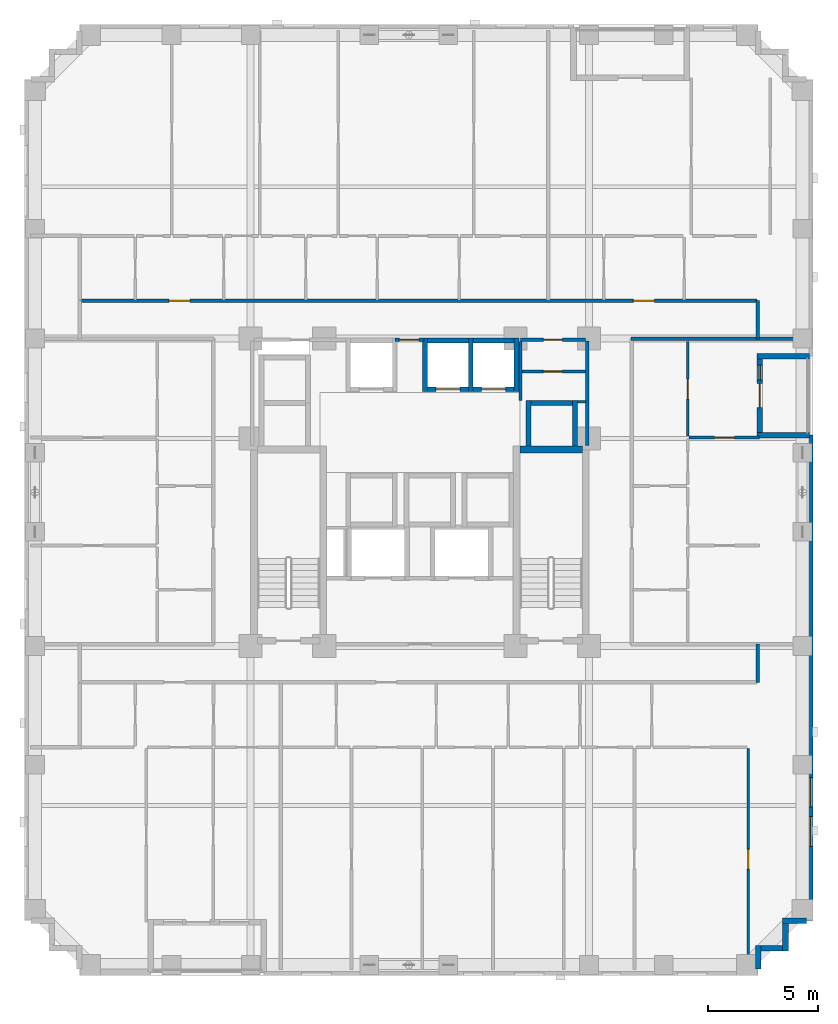
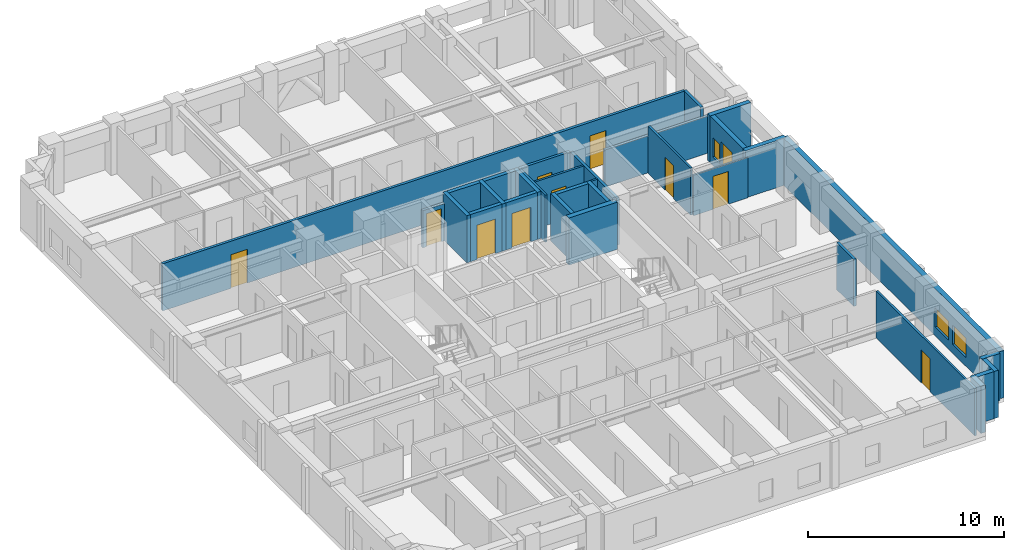
# One storey, part 6 of 12: 32 walls, 11 doors, 3 windows, 14 openings.
"""IFC4 building model written with IfcOpenShell, lengths in metres."""

from ifc_helpers import new_model, si_unit, derived_unit, direction, frame, frame_2d, origin, place, context, subcontext, project, spatial, rectangle, extrude, material, layer, layer_set, type_object, element, fill, save


model = new_model("IFC4")

# Units and contexts
model_context = context("Model", 3, precision=1e-05, world=origin(), true_north=direction((0.0, 1.0)))
body_context = subcontext(model_context, "Body", "Model", "MODEL_VIEW")
ifc_project = project(units=[si_unit("LENGTHUNIT", "METRE"), si_unit("AREAUNIT", "SQUARE_METRE"), si_unit("VOLUMEUNIT", "CUBIC_METRE"), si_unit("PLANEANGLEUNIT", "RADIAN"), si_unit("MASSUNIT", "GRAM", prefix="KILO"), derived_unit("THERMALTRANSMITTANCEUNIT", [(si_unit("MASSUNIT", "GRAM", prefix="KILO"), 1), (si_unit("TIMEUNIT", "SECOND"), -3), (si_unit("THERMODYNAMICTEMPERATUREUNIT", "KELVIN"), -1)])], contexts=[model_context])

# Site, building, storey
site_placement = place(None, origin())
site = spatial("IfcSite", under=ifc_project, at=site_placement, CompositionType="ELEMENT")
building_placement = place(site_placement, origin())
building = spatial("IfcBuilding", under=site, at=building_placement, Name="Korrvale Station Residences", CompositionType="ELEMENT")
storey_placement = place(building_placement, frame((0.0, 0.0, 81.5)))
storey = spatial("IfcBuildingStorey", under=building, at=storey_placement, Name="L22", CompositionType="ELEMENT", Elevation=81.5)

# Walls
ifc_material_1 = material(Name="Concrete C60/75", Category="concrete")
ifc_layer_1 = layer(ifc_material_1, 0.300048828125, Name="Concrete C60/75")
ifc_layer_set_1 = layer_set([ifc_layer_1], Name="Concrete C60/75")
wall_type_1 = type_object("IfcWallType", Name="WAL-CORE-300-C60", PredefinedType="SHEAR", material=ifc_layer_set_1)
wall_1_placement = place(storey_placement, frame((30.050048828125, 23.949951171875, 0.0), z_axis=(0.0, 0.0, 1.0), x_axis=(1.0, 0.0, 0.0)))
element("IfcWall", 1, at=wall_1_placement, inside=storey, type_object=wall_type_1, Name="L22 ST-2 Core Shear Wall North", PredefinedType="SHEAR", context=body_context, shape_type="SweptSolid", body=[
    extrude(rectangle(XDim=2.849853515625, YDim=0.300048828125, at=frame_2d((1.4248046875, 0.0))), origin(), (0.0, 0.0, 1.0), 2.93994140625),
])
ifc_material_2 = material(Name="Precast concrete C45/55", Category="concrete")
ifc_layer_2 = layer(ifc_material_2, 0.260009765625, Name="Precast concrete C45/55")
ifc_layer_set_2 = layer_set([ifc_layer_2], Name="Precast concrete C45/55")
wall_type_2 = type_object("IfcWallType", Name="WAL-EXT-LOG260", PredefinedType="SOLIDWALL", material=ifc_layer_set_2)
wall_2_placement = place(storey_placement, frame((43.239990234375, 28.199951171875, 0.0), z_axis=(0.0, 0.0, 1.0), x_axis=(-1.0, 0.0, 0.0)))
element("IfcWall", 2, at=wall_2_placement, inside=storey, type_object=wall_type_2, Name="L22 Recessed Loggia Wall BAL-L22-E1-L", PredefinedType="SOLIDWALL", context=body_context, shape_type="SweptSolid", body=[
    extrude(rectangle(XDim=2.39990234375, YDim=0.260009765625, at=frame_2d((1.199951171875, 0.0))), origin(), (0.0, 0.0, 1.0), 2.93994140625),
])

# Wall, openings, door, window
wall_3_placement = place(storey_placement, frame((40.969970703125, 28.06591796875, 0.0), z_axis=(0.0, 0.0, 1.0), x_axis=(0.0, -1.0, 0.0)))
wall_3 = element("IfcWall", 3, at=wall_3_placement, inside=storey, type_object=wall_type_2, Name="L22 Recessed Loggia Wall BAL-L22-E1-B", PredefinedType="SOLIDWALL", context=body_context, shape_type="SweptSolid", body=[
    extrude(rectangle(XDim=3.33203125, YDim=0.260009765625, at=frame_2d((1.666015625, 0.0))), origin(), (0.0, 0.0, 1.0), 2.93994140625),
])
opening_1_placement = place(wall_3_placement, frame((1.115966796875, 0.0, 0.0)))
opening_1 = element("IfcOpeningElement", 4, at=opening_1_placement, cuts=wall_3, Name="Opening BD-01", PredefinedType="OPENING", context=body_context, shape_type="SweptSolid", body=[
    extrude(rectangle(XDim=1.10009765625, YDim=2.0, at=frame_2d((0.550048828125, 1.0))), frame((0.0, 0.14013671875, 0.0), z_axis=(0.0, -1.0, 0.0), x_axis=(1.0, 0.0, 0.0)), (0.0, 0.0, 1.0), 0.280029296875),
])
opening_2_placement = place(wall_3_placement, frame((0.27587890625, 0.0, 0.550048828125)))
opening_2 = element("IfcOpeningElement", 5, at=opening_2_placement, cuts=wall_3, Name="Opening W-12", PredefinedType="OPENING", context=body_context, shape_type="SweptSolid", body=[
    extrude(rectangle(XDim=0.679931640625, YDim=1.199951171875, at=frame_2d((0.33984375, 0.60009765625))), frame((0.0, 0.14013671875, 0.0), z_axis=(0.0, -1.0, 0.0), x_axis=(1.0, 0.0, 0.0)), (0.0, 0.0, 1.0), 0.280029296875),
])
ifc_material_3 = material(Name="Exterior thermally broken aluminium glazed balcony door", Category="aluminium")
door_type_1 = type_object("IfcDoorType", Name="DR-EXT-BAL", OperationType="NOTDEFINED", PredefinedType="DOOR", material=ifc_material_3)
door_1_placement = place(opening_1_placement, origin())
door_1 = element("IfcDoor", 6, at=door_1_placement, inside=storey, type_object=door_type_1, Name="L22 Loggia Balcony Door BAL-L22-E1", OperationType="SINGLE_SWING_RIGHT", OverallHeight=2.0, OverallWidth=1.10009765625, PredefinedType="DOOR", context=body_context, shape_type="SweptSolid", body=[
    extrude(rectangle(XDim=1.10009765625, YDim=2.0, at=frame_2d((0.550048828125, 1.0))), frame((0.0, 0.02490234375, 0.0), z_axis=(0.0, -1.0, 0.0), x_axis=(1.0, 0.0, 0.0)), (0.0, 0.0, 1.0), 0.050048828125),
])
fill(opening_1, door_1)
ifc_material_4 = material(Name="Thermally broken aluminium frame with triple low-e glazing", Category="aluminium")
window_type_1 = type_object("IfcWindowType", Name="WIN-W12", PartitioningType="SINGLE_PANEL", PredefinedType="WINDOW", material=ifc_material_4)
window_1_placement = place(opening_2_placement, origin())
window_1 = element("IfcWindow", 7, at=window_1_placement, inside=storey, type_object=window_type_1, Name="L22 Punched Window 21", OverallHeight=1.199951171875, OverallWidth=0.679931640625, PartitioningType="SINGLE_PANEL", PredefinedType="WINDOW", context=body_context, shape_type="SweptSolid", body=[
    extrude(rectangle(XDim=0.679931640625, YDim=1.199951171875, at=frame_2d((0.33984375, 0.60009765625))), frame((0.0, 0.030029296875, 0.0), z_axis=(0.0, -1.0, 0.0), x_axis=(1.0, 0.0, 0.0)), (0.0, 0.0, 1.0), 0.06005859375),
])
fill(opening_2, window_1)

# Walls
wall_4_placement = place(storey_placement, frame((40.840087890625, 24.60009765625, 0.0), z_axis=(0.0, 0.0, 1.0), x_axis=(1.0, 0.0, 0.0)))
element("IfcWall", 8, at=wall_4_placement, inside=storey, type_object=wall_type_2, Name="L22 Recessed Loggia Wall BAL-L22-E1-R", PredefinedType="SOLIDWALL", context=body_context, shape_type="SweptSolid", body=[
    extrude(rectangle(XDim=2.39990234375, YDim=0.260009765625, at=frame_2d((1.199951171875, 0.0))), origin(), (0.0, 0.0, 1.0), 2.93994140625),
])
wall_5_placement = place(storey_placement, frame((43.097900390625, 2.5, 0.0), z_axis=(0.0, 0.0, 1.0), x_axis=(-1.0, 0.0, 0.0)))
element("IfcWall", 9, at=wall_5_placement, inside=storey, type_object=wall_type_2, Name="L22 Serrated Corner Precast Step SE-1", PredefinedType="SOLIDWALL", context=body_context, shape_type="SweptSolid", body=[
    extrude(rectangle(XDim=1.077880859375, YDim=0.260009765625, at=frame_2d((0.5390625, 0.0))), origin(), (0.0, 0.0, 1.0), 2.93994140625),
])
wall_6_placement = place(storey_placement, frame((42.14990234375, 2.367919921875, 0.0), z_axis=(0.0, 0.0, 1.0), x_axis=(0.0, -1.0, 0.0)))
element("IfcWall", 10, at=wall_6_placement, inside=storey, type_object=wall_type_2, Name="L22 Serrated Corner Precast Step SE-2", PredefinedType="SOLIDWALL", context=body_context, shape_type="SweptSolid", body=[
    extrude(rectangle(XDim=1.247802734375, YDim=0.260009765625, at=frame_2d((0.6240234375, 0.0))), origin(), (0.0, 0.0, 1.0), 2.93994140625),
])
wall_7_placement = place(storey_placement, frame((42.01806640625, 1.25, 0.0), z_axis=(0.0, 0.0, 1.0), x_axis=(-1.0, 0.0, 0.0)))
element("IfcWall", 11, at=wall_7_placement, inside=storey, type_object=wall_type_2, Name="L22 Serrated Corner Precast Step SE-3", PredefinedType="SOLIDWALL", context=body_context, shape_type="SweptSolid", body=[
    extrude(rectangle(XDim=0.986083984375, YDim=0.260009765625, at=frame_2d((0.4931640625, 0.0))), origin(), (0.0, 0.0, 1.0), 2.93994140625),
])
wall_8_placement = place(storey_placement, frame((40.89990234375, 1.3798828125, 0.0), z_axis=(0.0, 0.0, 1.0), x_axis=(0.0, -1.0, 0.0)))
element("IfcWall", 12, at=wall_8_placement, inside=storey, type_object=wall_type_2, Name="L22 Serrated Corner Precast Step SE-4", PredefinedType="SOLIDWALL", context=body_context, shape_type="SweptSolid", body=[
    extrude(rectangle(XDim=1.077880859375, YDim=0.260009765625, at=frame_2d((0.5390625, 0.0))), origin(), (0.0, 0.0, 1.0), 2.93994140625),
])

# Wall, openings, windows
ifc_layer_3 = layer(ifc_material_2, 0.300048828125, Name="Precast concrete C45/55")
ifc_layer_set_3 = layer_set([ifc_layer_3], Name="Precast concrete C45/55")
wall_type_3 = type_object("IfcWallType", Name="WAL-EXT-PC300", PredefinedType="SOLIDWALL", material=ifc_layer_set_3)
wall_9_placement = place(storey_placement, frame((43.25, 24.60009765625, 0.0), z_axis=(0.0, 0.0, 1.0), x_axis=(0.0, -1.0, 0.0)))
wall_9 = element("IfcWall", 13, at=wall_9_placement, inside=storey, type_object=wall_type_3, Name="L22 East Exterior Precast Wall 2", PredefinedType="SOLIDWALL", context=body_context, shape_type="SweptSolid", body=[
    extrude(rectangle(XDim=22.10009765625, YDim=0.300048828125, at=frame_2d((11.050048828125, 0.0))), origin(), (0.0, 0.0, 1.0), 2.93994140625),
])
opening_3_placement = place(wall_9_placement, frame((17.365966796875, 0.0, 0.550048828125)))
opening_3 = element("IfcOpeningElement", 14, at=opening_3_placement, cuts=wall_9, Name="Opening W-10", PredefinedType="OPENING", context=body_context, shape_type="SweptSolid", body=[
    extrude(rectangle(XDim=1.35009765625, YDim=1.199951171875, at=frame_2d((0.675048828125, 0.60009765625))), frame((0.0, 0.16015625, 0.0), z_axis=(0.0, -1.0, 0.0), x_axis=(1.0, 0.0, 0.0)), (0.0, 0.0, 1.0), 0.320068359375),
])
opening_4_placement = place(wall_9_placement, frame((15.5849609375, 0.0, 0.550048828125)))
opening_4 = element("IfcOpeningElement", 15, at=opening_4_placement, cuts=wall_9, Name="Opening W-10", PredefinedType="OPENING", context=body_context, shape_type="SweptSolid", body=[
    extrude(rectangle(XDim=1.35009765625, YDim=1.199951171875, at=frame_2d((0.675048828125, 0.60009765625))), frame((0.0, 0.16015625, 0.0), z_axis=(0.0, -1.0, 0.0), x_axis=(1.0, 0.0, 0.0)), (0.0, 0.0, 1.0), 0.320068359375),
])
window_type_2 = type_object("IfcWindowType", Name="WIN-W10", PartitioningType="SINGLE_PANEL", PredefinedType="WINDOW", material=ifc_material_4)
window_2_placement = place(opening_3_placement, origin())
window_2 = element("IfcWindow", 16, at=window_2_placement, inside=storey, type_object=window_type_2, Name="L22 Punched Window 10", OverallHeight=1.199951171875, OverallWidth=1.35009765625, PartitioningType="SINGLE_PANEL", PredefinedType="WINDOW", context=body_context, shape_type="SweptSolid", body=[
    extrude(rectangle(XDim=1.35009765625, YDim=1.199951171875, at=frame_2d((0.675048828125, 0.60009765625))), frame((0.0, 0.030029296875, 0.0), z_axis=(0.0, -1.0, 0.0), x_axis=(1.0, 0.0, 0.0)), (0.0, 0.0, 1.0), 0.06005859375),
])
fill(opening_3, window_2)
window_3_placement = place(opening_4_placement, origin())
window_3 = element("IfcWindow", 17, at=window_3_placement, inside=storey, type_object=window_type_2, Name="L22 Punched Window 11", OverallHeight=1.199951171875, OverallWidth=1.35009765625, PartitioningType="SINGLE_PANEL", PredefinedType="WINDOW", context=body_context, shape_type="SweptSolid", body=[
    extrude(rectangle(XDim=1.35009765625, YDim=1.199951171875, at=frame_2d((0.675048828125, 0.60009765625))), frame((0.0, 0.030029296875, 0.0), z_axis=(0.0, -1.0, 0.0), x_axis=(1.0, 0.0, 0.0)), (0.0, 0.0, 1.0), 0.06005859375),
])
fill(opening_4, window_3)

# Walls
ifc_material_5 = material(Name="Acoustic steel-stud gypsum board partition", Category="steel")
ifc_layer_4 = layer(ifc_material_5, 0.1201171875, Name="Acoustic steel-stud gypsum board partition")
ifc_layer_set_4 = layer_set([ifc_layer_4], Name="Acoustic steel-stud gypsum board partition")
wall_type_4 = type_object("IfcWallType", Name="WAL-PART-125", PredefinedType="PARTITIONING", material=ifc_layer_set_4)
wall_10_placement = place(storey_placement, frame((30.080078125, 26.179931640625, 0.0), z_axis=(0.0, 0.0, 1.0), x_axis=(0.0, 1.0, 0.0)))
element("IfcWall", 18, at=wall_10_placement, inside=storey, type_object=wall_type_4, Name="L22 Core Partition CW-CS-W", PredefinedType="PARTITIONING", context=body_context, shape_type="SweptSolid", body=[
    extrude(rectangle(XDim=2.68017578125, YDim=0.1201171875, at=frame_2d((1.340087890625, 0.0))), origin(), (0.0, 0.0, 1.0), 2.93994140625),
])
wall_11_placement = place(storey_placement, frame((32.679931640625, 26.1201171875, 0.0), z_axis=(0.0, 0.0, 1.0), x_axis=(1.0, 0.0, 0.0)))
element("IfcWall", 19, at=wall_11_placement, inside=storey, type_object=wall_type_4, Name="L22 Core Partition CW-CS-S", PredefinedType="PARTITIONING", context=body_context, shape_type="SweptSolid", body=[
    extrude(rectangle(XDim=0.380126953125, YDim=0.1201171875, at=frame_2d((0.18994140625, 0.0))), origin(), (0.0, 0.0, 1.0), 2.93994140625),
])

# Wall, opening, door
wall_12_placement = place(storey_placement, frame((30.159912109375, 27.5, 0.0), z_axis=(0.0, 0.0, 1.0), x_axis=(1.0, 0.0, 0.0)))
wall_12 = element("IfcWall", 20, at=wall_12_placement, inside=storey, type_object=wall_type_4, Name="L22 Core Partition CW-CS-H", PredefinedType="PARTITIONING", context=body_context, shape_type="SweptSolid", body=[
    extrude(rectangle(XDim=2.880126953125, YDim=0.1201171875, at=frame_2d((1.43994140625, 0.0))), origin(), (0.0, 0.0, 1.0), 2.93994140625),
])
opening_5_placement = place(wall_12_placement, frame((0.969970703125, 0.0, 0.0)))
opening_5 = element("IfcOpeningElement", 21, at=opening_5_placement, cuts=wall_12, Name="Opening DB-860", PredefinedType="OPENING", context=body_context, shape_type="SweptSolid", body=[
    extrude(rectangle(XDim=0.860107421875, YDim=2.050048828125, at=frame_2d((0.43017578125, 1.02490234375))), frame((0.0, 0.070068359375, 0.0), z_axis=(0.0, -1.0, 0.0), x_axis=(1.0, 0.0, 0.0)), (0.0, 0.0, 1.0), 0.14013671875),
])
ifc_material_6 = material(Name="Moisture-resistant solid-core bathroom door", Category="timber")
door_type_2 = type_object("IfcDoorType", Name="DR-BATH-860", OperationType="NOTDEFINED", PredefinedType="DOOR", material=ifc_material_6)
door_2_placement = place(opening_5_placement, origin())
door_2 = element("IfcDoor", 22, at=door_2_placement, inside=storey, type_object=door_type_2, Name="L22 Mail Sorting Inner Door", OperationType="SINGLE_SWING_RIGHT", OverallHeight=2.050048828125, OverallWidth=0.860107421875, PredefinedType="DOOR", context=body_context, shape_type="SweptSolid", body=[
    extrude(rectangle(XDim=0.860107421875, YDim=2.050048828125, at=frame_2d((0.43017578125, 1.02490234375))), frame((0.0, 0.02490234375, 0.0), z_axis=(0.0, -1.0, 0.0), x_axis=(1.0, 0.0, 0.0)), (0.0, 0.0, 1.0), 0.050048828125),
])
fill(opening_5, door_2)

wall_13_placement = place(storey_placement, frame((40.449951171875, 0.280029296875, 0.0), z_axis=(0.0, 0.0, 1.0), x_axis=(0.0, 1.0, 0.0)))
wall_13 = element("IfcWall", 23, at=wall_13_placement, inside=storey, type_object=wall_type_4, Name="L22 Suite Partition U02-V1112", PredefinedType="PARTITIONING", context=body_context, shape_type="SweptSolid", body=[
    extrude(rectangle(XDim=10.06005859375, YDim=0.1201171875, at=frame_2d((5.030029296875, 0.0))), origin(), (0.0, 0.0, 1.0), 2.93994140625),
])
opening_6_placement = place(wall_13_placement, frame((4.56494140625, 0.0, 0.0)))
opening_6 = element("IfcOpeningElement", 24, at=opening_6_placement, cuts=wall_13, Name="Opening DI-900", PredefinedType="OPENING", context=body_context, shape_type="SweptSolid", body=[
    extrude(rectangle(XDim=0.89990234375, YDim=2.050048828125, at=frame_2d((0.449951171875, 1.02490234375))), frame((0.0, 0.070068359375, 0.0), z_axis=(0.0, -1.0, 0.0), x_axis=(1.0, 0.0, 0.0)), (0.0, 0.0, 1.0), 0.14013671875),
])
ifc_material_7 = material(Name="Painted solid-core timber interior room door", Category="wood")
door_type_3 = type_object("IfcDoorType", Name="DR-INT-900", OperationType="NOTDEFINED", PredefinedType="DOOR", material=ifc_material_7)
door_3_placement = place(opening_6_placement, origin())
door_3 = element("IfcDoor", 25, at=door_3_placement, inside=storey, type_object=door_type_3, Name="L22 Studio Apartment L22-U02 Studio Living Room Door", OperationType="SINGLE_SWING_LEFT", OverallHeight=2.050048828125, OverallWidth=0.89990234375, PredefinedType="DOOR", context=body_context, shape_type="SweptSolid", body=[
    extrude(rectangle(XDim=0.89990234375, YDim=2.050048828125, at=frame_2d((0.449951171875, 1.02490234375))), frame((0.0, 0.02490234375, 0.0), z_axis=(0.0, -1.0, 0.0), x_axis=(1.0, 0.0, 0.0)), (0.0, 0.0, 1.0), 0.050048828125),
])
fill(opening_6, door_3)

wall_14_placement = place(storey_placement, frame((37.699951171875, 24.552001953125, 0.0), z_axis=(0.0, 0.0, 1.0), x_axis=(0.0, 1.0, 0.0)))
wall_14 = element("IfcWall", 26, at=wall_14_placement, inside=storey, type_object=wall_type_4, Name="L22 Suite Partition U06-V05", PredefinedType="PARTITIONING", context=body_context, shape_type="SweptSolid", body=[
    extrude(rectangle(XDim=4.30810546875, YDim=0.1201171875, at=frame_2d((2.154052734375, 0.0))), origin(), (0.0, 0.0, 1.0), 2.93994140625),
])
opening_7_placement = place(wall_14_placement, frame((1.7041015625, 0.0, 0.0)))
opening_7 = element("IfcOpeningElement", 27, at=opening_7_placement, cuts=wall_14, Name="Opening DI-900", PredefinedType="OPENING", context=body_context, shape_type="SweptSolid", body=[
    extrude(rectangle(XDim=0.89990234375, YDim=2.050048828125, at=frame_2d((0.449951171875, 1.02490234375))), frame((0.0, 0.070068359375, 0.0), z_axis=(0.0, -1.0, 0.0), x_axis=(1.0, 0.0, 0.0)), (0.0, 0.0, 1.0), 0.14013671875),
])
door_4_placement = place(opening_7_placement, origin())
door_4 = element("IfcDoor", 28, at=door_4_placement, inside=storey, type_object=door_type_3, Name="L22 Apartment 2BR L22-U06 Wardrobe Storage Room Door", OperationType="SINGLE_SWING_LEFT", OverallHeight=2.050048828125, OverallWidth=0.89990234375, PredefinedType="DOOR", context=body_context, shape_type="SweptSolid", body=[
    extrude(rectangle(XDim=0.89990234375, YDim=2.050048828125, at=frame_2d((0.449951171875, 1.02490234375))), frame((0.0, 0.02490234375, 0.0), z_axis=(0.0, -1.0, 0.0), x_axis=(1.0, 0.0, 0.0)), (0.0, 0.0, 1.0), 0.050048828125),
])
fill(opening_7, door_4)

wall_15_placement = place(storey_placement, frame((37.760009765625, 24.491943359375, 0.0), z_axis=(0.0, 0.0, 1.0), x_axis=(1.0, 0.0, 0.0)))
wall_15 = element("IfcWall", 29, at=wall_15_placement, inside=storey, type_object=wall_type_4, Name="L22 Suite Partition U06-H45", PredefinedType="PARTITIONING", context=body_context, shape_type="SweptSolid", body=[
    extrude(rectangle(XDim=3.2099609375, YDim=0.1201171875, at=frame_2d((1.60498046875, 0.0))), origin(), (0.0, 0.0, 1.0), 2.51806640625),
])
opening_8_placement = place(wall_15_placement, frame((1.155029296875, 0.0, 0.0)))
opening_8 = element("IfcOpeningElement", 30, at=opening_8_placement, cuts=wall_15, Name="Opening DI-900", PredefinedType="OPENING", context=body_context, shape_type="SweptSolid", body=[
    extrude(rectangle(XDim=0.89990234375, YDim=2.050048828125, at=frame_2d((0.449951171875, 1.02490234375))), frame((0.0, 0.070068359375, 0.0), z_axis=(0.0, -1.0, 0.0), x_axis=(1.0, 0.0, 0.0)), (0.0, 0.0, 1.0), 0.14013671875),
])
door_5_placement = place(opening_8_placement, origin())
door_5 = element("IfcDoor", 31, at=door_5_placement, inside=storey, type_object=door_type_3, Name="L22 Apartment 2BR L22-U06 Living and Dining Room Door", OperationType="SINGLE_SWING_RIGHT", OverallHeight=2.050048828125, OverallWidth=0.89990234375, PredefinedType="DOOR", context=body_context, shape_type="SweptSolid", body=[
    extrude(rectangle(XDim=0.89990234375, YDim=2.050048828125, at=frame_2d((0.449951171875, 1.02490234375))), frame((0.0, 0.02490234375, 0.0), z_axis=(0.0, -1.0, 0.0), x_axis=(1.0, 0.0, 0.0)), (0.0, 0.0, 1.0), 0.050048828125),
])
fill(opening_8, door_5)

# Wall
ifc_material_8 = material(Name="Fire-rated twin-stud gypsum and mineral wool shaftwall assembly", Category="gypsum")
ifc_layer_5 = layer(ifc_material_8, 0.159912109375, Name="Fire-rated twin-stud gypsum and mineral wool shaftwall assembly")
ifc_layer_set_5 = layer_set([ifc_layer_5], Name="Fire-rated twin-stud gypsum and mineral wool shaftwall assembly")
wall_type_5 = type_object("IfcWallType", Name="WAL-PART-200", PredefinedType="PARTITIONING", material=ifc_layer_set_5)
wall_16_placement = place(storey_placement, frame((33.1201171875, 24.1201171875, 0.0), z_axis=(0.0, 0.0, 1.0), x_axis=(0.0, 1.0, 0.0)))
element("IfcWall", 32, at=wall_16_placement, inside=storey, type_object=wall_type_5, Name="L22 Core Partition CW-E-N", PredefinedType="PARTITIONING", context=body_context, shape_type="SweptSolid", body=[
    extrude(rectangle(XDim=4.759765625, YDim=0.159912109375, at=frame_2d((2.3798828125, 0.0))), origin(), (0.0, 0.0, 1.0), 2.93994140625),
])

# Wall, opening, door
wall_17_placement = place(storey_placement, frame((24.360107421875, 28.949951171875, 0.0), z_axis=(0.0, 0.0, 1.0), x_axis=(1.0, 0.0, 0.0)))
wall_17 = element("IfcWall", 33, at=wall_17_placement, inside=storey, type_object=wall_type_5, Name="L22 Core Partition CW-LLOB-N", PredefinedType="PARTITIONING", context=body_context, shape_type="SweptSolid", body=[
    extrude(rectangle(XDim=1.31982421875, YDim=0.159912109375, at=frame_2d((0.659912109375, 0.0))), origin(), (0.0, 0.0, 1.0), 2.30908203125),
])
opening_9_placement = place(wall_17_placement, frame((0.2099609375, 0.0, 0.0)))
opening_9 = element("IfcOpeningElement", 34, at=opening_9_placement, cuts=wall_17, Name="Opening DI-900", PredefinedType="OPENING", context=body_context, shape_type="SweptSolid", body=[
    extrude(rectangle(XDim=0.89990234375, YDim=2.050048828125, at=frame_2d((0.449951171875, 1.02490234375))), frame((0.0, 0.08984375, 0.0), z_axis=(0.0, -1.0, 0.0), x_axis=(1.0, 0.0, 0.0)), (0.0, 0.0, 1.0), 0.179931640625),
])
door_6_placement = place(opening_9_placement, origin())
door_6 = element("IfcDoor", 35, at=door_6_placement, inside=storey, type_object=door_type_3, Name="L22 Central Hallway North Passage Door", OperationType="SINGLE_SWING_RIGHT", OverallHeight=2.050048828125, OverallWidth=0.89990234375, PredefinedType="DOOR", context=body_context, shape_type="SweptSolid", body=[
    extrude(rectangle(XDim=0.89990234375, YDim=2.050048828125, at=frame_2d((0.449951171875, 1.02490234375))), frame((0.0, 0.02490234375, 0.0), z_axis=(0.0, -1.0, 0.0), x_axis=(1.0, 0.0, 0.0)), (0.0, 0.0, 1.0), 0.050048828125),
])
fill(opening_9, door_6)

wall_18_placement = place(storey_placement, frame((30.080078125, 28.949951171875, 0.0), z_axis=(0.0, 0.0, 1.0), x_axis=(1.0, 0.0, 0.0)))
wall_18 = element("IfcWall", 36, at=wall_18_placement, inside=storey, type_object=wall_type_5, Name="L22 Core Partition CW-CS-N", PredefinedType="PARTITIONING", context=body_context, shape_type="SweptSolid", body=[
    extrude(rectangle(XDim=2.9599609375, YDim=0.159912109375, at=frame_2d((1.47998046875, 0.0))), origin(), (0.0, 0.0, 1.0), 2.93994140625),
])
opening_10_placement = place(wall_18_placement, frame((1.044921875, 0.0, 0.0)))
opening_10 = element("IfcOpeningElement", 37, at=opening_10_placement, cuts=wall_18, Name="Opening DB-860", PredefinedType="OPENING", context=body_context, shape_type="SweptSolid", body=[
    extrude(rectangle(XDim=0.860107421875, YDim=2.050048828125, at=frame_2d((0.43017578125, 1.02490234375))), frame((0.0, 0.08984375, 0.0), z_axis=(0.0, -1.0, 0.0), x_axis=(1.0, 0.0, 0.0)), (0.0, 0.0, 1.0), 0.179931640625),
])
door_7_placement = place(opening_10_placement, origin())
door_7 = element("IfcDoor", 38, at=door_7_placement, inside=storey, type_object=door_type_2, Name="L22 Housekeeping Pantry Door", OperationType="SINGLE_SWING_LEFT", OverallHeight=2.050048828125, OverallWidth=0.860107421875, PredefinedType="DOOR", context=body_context, shape_type="SweptSolid", body=[
    extrude(rectangle(XDim=0.860107421875, YDim=2.050048828125, at=frame_2d((0.43017578125, 1.02490234375))), frame((0.0, 0.02490234375, 0.0), z_axis=(0.0, -1.0, 0.0), x_axis=(1.0, 0.0, 0.0)), (0.0, 0.0, 1.0), 0.050048828125),
])
fill(opening_10, door_7)

# Walls
for number, where, z_axis, x_axis, name in (
    (39, (40.8798828125, 13.35009765625, 0.0), (0.0, 0.0, 1.0), (0.0, 1.0, 0.0), "L22 Corridor South East Cap"),
    (40, (40.8798828125, 28.97998046875, 0.0), (0.0, 0.0, 1.0), (0.0, 1.0, 0.0), "L22 Corridor North East Cap"),
):
    element("IfcWall", number, at=place(storey_placement, frame(where, z_axis=z_axis, x_axis=x_axis)), inside=storey, type_object=wall_type_5, Name=name, PredefinedType="PARTITIONING", context=body_context, shape_type="SweptSolid", body=[
        extrude(rectangle(XDim=1.739990234375, YDim=0.159912109375, at=frame_2d((0.8701171875, 0.0))), origin(), (0.0, 0.0, 1.0), 2.93994140625),
    ])
wall_19_placement = place(storey_placement, frame((35.110107421875, 28.97998046875, 0.0), z_axis=(0.0, 0.0, 1.0), x_axis=(1.0, 0.0, 0.0)))
element("IfcWall", 41, at=wall_19_placement, inside=storey, type_object=wall_type_5, Name="L22 East Wing North Corridor Wall", PredefinedType="PARTITIONING", context=body_context, shape_type="SweptSolid", body=[
    extrude(rectangle(XDim=8.010009765625, YDim=0.159912109375, at=frame_2d((4.0048828125, 0.0))), origin(), (0.0, 0.0, 1.0), 2.30908203125),
])

# Wall, openings, doors
wall_20_placement = place(storey_placement, frame((10.050048828125, 30.719970703125, 0.0), z_axis=(0.0, 0.0, 1.0), x_axis=(1.0, 0.0, 0.0)))
wall_20 = element("IfcWall", 42, at=wall_20_placement, inside=storey, type_object=wall_type_5, Name="L22 Rated Corridor Wall N", PredefinedType="PARTITIONING", context=body_context, shape_type="SweptSolid", body=[
    extrude(rectangle(XDim=30.800048828125, YDim=0.159912109375, at=frame_2d((15.39990234375, 0.0))), origin(), (0.0, 0.0, 1.0), 2.93994140625),
])
opening_11_placement = place(wall_20_placement, frame((4.034912109375, 0.0, 0.0)))
opening_11 = element("IfcOpeningElement", 43, at=opening_11_placement, cuts=wall_20, Name="Opening UD-950", PredefinedType="OPENING", context=body_context, shape_type="SweptSolid", body=[
    extrude(rectangle(XDim=0.949951171875, YDim=2.10009765625, at=frame_2d((0.47509765625, 1.050048828125))), frame((0.0, 0.08984375, 0.0), z_axis=(0.0, -1.0, 0.0), x_axis=(1.0, 0.0, 0.0)), (0.0, 0.0, 1.0), 0.179931640625),
])
opening_12_placement = place(wall_20_placement, frame((25.175048828125, 0.0, 0.0)))
opening_12 = element("IfcOpeningElement", 44, at=opening_12_placement, cuts=wall_20, Name="Opening UD-950", PredefinedType="OPENING", context=body_context, shape_type="SweptSolid", body=[
    extrude(rectangle(XDim=0.949951171875, YDim=2.10009765625, at=frame_2d((0.47509765625, 1.050048828125))), frame((0.0, 0.08984375, 0.0), z_axis=(0.0, -1.0, 0.0), x_axis=(1.0, 0.0, 0.0)), (0.0, 0.0, 1.0), 0.179931640625),
])
ifc_material_9 = material(Name="Solid-core acoustic oak apartment entrance door", Category="timber")
door_type_4 = type_object("IfcDoorType", Name="DR-UNIT-950", OperationType="NOTDEFINED", PredefinedType="DOOR", material=ifc_material_9)
door_8_placement = place(opening_11_placement, origin())
door_8 = element("IfcDoor", 45, at=door_8_placement, inside=storey, type_object=door_type_4, Name="L22 Apartment L22-U03 Entrance Door", OperationType="SINGLE_SWING_LEFT", OverallHeight=2.10009765625, OverallWidth=0.949951171875, PredefinedType="DOOR", context=body_context, shape_type="SweptSolid", body=[
    extrude(rectangle(XDim=0.949951171875, YDim=2.10009765625, at=frame_2d((0.47509765625, 1.050048828125))), frame((0.0, 0.02490234375, 0.0), z_axis=(0.0, -1.0, 0.0), x_axis=(1.0, 0.0, 0.0)), (0.0, 0.0, 1.0), 0.050048828125),
])
fill(opening_11, door_8)
door_9_placement = place(opening_12_placement, origin())
door_9 = element("IfcDoor", 46, at=door_9_placement, inside=storey, type_object=door_type_4, Name="L22 Apartment L22-U04 Entrance Door", OperationType="SINGLE_SWING_RIGHT", OverallHeight=2.10009765625, OverallWidth=0.949951171875, PredefinedType="DOOR", context=body_context, shape_type="SweptSolid", body=[
    extrude(rectangle(XDim=0.949951171875, YDim=2.10009765625, at=frame_2d((0.47509765625, 1.050048828125))), frame((0.0, 0.02490234375, 0.0), z_axis=(0.0, -1.0, 0.0), x_axis=(1.0, 0.0, 0.0)), (0.0, 0.0, 1.0), 0.050048828125),
])
fill(opening_12, door_9)

# Wall, opening, door
ifc_layer_6 = layer(ifc_material_1, 0.219970703125, Name="Concrete C60/75")
ifc_layer_set_6 = layer_set([ifc_layer_6], Name="Concrete C60/75")
wall_type_6 = type_object("IfcWallType", Name="WAL-SHAFT-220-C60", PredefinedType="SHEAR", material=ifc_layer_set_6)
wall_21_placement = place(storey_placement, frame((25.85009765625, 26.68994140625, 0.0), z_axis=(0.0, 0.0, 1.0), x_axis=(1.0, 0.0, 0.0)))
wall_21 = element("IfcWall", 47, at=wall_21_placement, inside=storey, type_object=wall_type_6, Name="L22 Elevator PL-2 Hoistway Wall South", PredefinedType="SHEAR", context=body_context, shape_type="SweptSolid", body=[
    extrude(rectangle(XDim=1.85986328125, YDim=0.219970703125, at=frame_2d((0.929931640625, 0.0))), origin(), (0.0, 0.0, 1.0), 2.93994140625),
])
opening_13_placement = place(wall_21_placement, frame((0.3798828125, 0.0, 0.0)))
opening_13 = element("IfcOpeningElement", 48, at=opening_13_placement, cuts=wall_21, Name="Opening LD-1100", PredefinedType="OPENING", context=body_context, shape_type="SweptSolid", body=[
    extrude(rectangle(XDim=1.10009765625, YDim=2.14990234375, at=frame_2d((0.550048828125, 1.074951171875))), frame((0.0, 0.1201171875, 0.0), z_axis=(0.0, -1.0, 0.0), x_axis=(1.0, 0.0, 0.0)), (0.0, 0.0, 1.0), 0.239990234375),
])
ifc_material_10 = material(Name="Brushed stainless-steel elevator landing sliding door", Category="steel")
door_type_5 = type_object("IfcDoorType", Name="DR-LIFT-1100", OperationType="SLIDING_TO_LEFT", PredefinedType="DOOR", material=ifc_material_10)
door_10_placement = place(opening_13_placement, origin())
door_10 = element("IfcDoor", 49, at=door_10_placement, inside=storey, type_object=door_type_5, Name="L22 Elevator PL-2 Sliding Landing Door", OperationType="SLIDING_TO_LEFT", OverallHeight=2.14990234375, OverallWidth=1.10009765625, PredefinedType="DOOR", context=body_context, shape_type="SweptSolid", body=[
    extrude(rectangle(XDim=1.10009765625, YDim=2.14990234375, at=frame_2d((0.550048828125, 1.074951171875))), frame((0.0, 0.02490234375, 0.0), z_axis=(0.0, -1.0, 0.0), x_axis=(1.0, 0.0, 0.0)), (0.0, 0.0, 1.0), 0.050048828125),
])
fill(opening_13, door_10)

# Walls
wall_22_placement = place(storey_placement, frame((25.85009765625, 28.909912109375, 0.0), z_axis=(0.0, 0.0, 1.0), x_axis=(1.0, 0.0, 0.0)))
element("IfcWall", 50, at=wall_22_placement, inside=storey, type_object=wall_type_6, Name="L22 Elevator PL-2 Hoistway Wall North", PredefinedType="SHEAR", context=body_context, shape_type="SweptSolid", body=[
    extrude(rectangle(XDim=1.85986328125, YDim=0.219970703125, at=frame_2d((0.929931640625, 0.0))), origin(), (0.0, 0.0, 1.0), 2.93994140625),
])
for number, where, z_axis, x_axis, name in (
    (51, (25.739990234375, 26.580078125, 0.0), (0.0, 0.0, 1.0), (0.0, 1.0, 0.0), "L22 Elevator PL-2 Hoistway Wall West"),
    (52, (27.820068359375, 26.580078125, 0.0), (0.0, 0.0, 1.0), (0.0, 1.0, 0.0), "L22 Elevator PL-2 Hoistway Wall East"),
):
    element("IfcWall", number, at=place(storey_placement, frame(where, z_axis=z_axis, x_axis=x_axis)), inside=storey, type_object=wall_type_6, Name=name, PredefinedType="SHEAR", context=body_context, shape_type="SweptSolid", body=[
        extrude(rectangle(XDim=2.43994140625, YDim=0.219970703125, at=frame_2d((1.219970703125, 0.0))), origin(), (0.0, 0.0, 1.0), 2.93994140625),
    ])

# Wall, opening, door
wall_23_placement = place(storey_placement, frame((27.929931640625, 26.68994140625, 0.0), z_axis=(0.0, 0.0, 1.0), x_axis=(1.0, 0.0, 0.0)))
wall_23 = element("IfcWall", 53, at=wall_23_placement, inside=storey, type_object=wall_type_6, Name="L22 Elevator PL-3 Hoistway Wall South", PredefinedType="SHEAR", context=body_context, shape_type="SweptSolid", body=[
    extrude(rectangle(XDim=1.860107421875, YDim=0.219970703125, at=frame_2d((0.93017578125, 0.0))), origin(), (0.0, 0.0, 1.0), 2.93994140625),
])
opening_14_placement = place(wall_23_placement, frame((0.3798828125, 0.0, 0.0)))
opening_14 = element("IfcOpeningElement", 54, at=opening_14_placement, cuts=wall_23, Name="Opening LD-1100", PredefinedType="OPENING", context=body_context, shape_type="SweptSolid", body=[
    extrude(rectangle(XDim=1.10009765625, YDim=2.14990234375, at=frame_2d((0.550048828125, 1.074951171875))), frame((0.0, 0.1201171875, 0.0), z_axis=(0.0, -1.0, 0.0), x_axis=(1.0, 0.0, 0.0)), (0.0, 0.0, 1.0), 0.239990234375),
])
door_11_placement = place(opening_14_placement, origin())
door_11 = element("IfcDoor", 55, at=door_11_placement, inside=storey, type_object=door_type_5, Name="L22 Elevator PL-3 Sliding Landing Door", OperationType="SLIDING_TO_LEFT", OverallHeight=2.14990234375, OverallWidth=1.10009765625, PredefinedType="DOOR", context=body_context, shape_type="SweptSolid", body=[
    extrude(rectangle(XDim=1.10009765625, YDim=2.14990234375, at=frame_2d((0.550048828125, 1.074951171875))), frame((0.0, 0.02490234375, 0.0), z_axis=(0.0, -1.0, 0.0), x_axis=(1.0, 0.0, 0.0)), (0.0, 0.0, 1.0), 0.050048828125),
])
fill(opening_14, door_11)

# Walls
wall_24_placement = place(storey_placement, frame((27.929931640625, 28.909912109375, 0.0), z_axis=(0.0, 0.0, 1.0), x_axis=(1.0, 0.0, 0.0)))
element("IfcWall", 56, at=wall_24_placement, inside=storey, type_object=wall_type_6, Name="L22 Elevator PL-3 Hoistway Wall North", PredefinedType="SHEAR", context=body_context, shape_type="SweptSolid", body=[
    extrude(rectangle(XDim=1.860107421875, YDim=0.219970703125, at=frame_2d((0.93017578125, 0.0))), origin(), (0.0, 0.0, 1.0), 2.93994140625),
])
wall_25_placement = place(storey_placement, frame((29.89990234375, 26.580078125, 0.0), z_axis=(0.0, 0.0, 1.0), x_axis=(0.0, 1.0, 0.0)))
element("IfcWall", 57, at=wall_25_placement, inside=storey, type_object=wall_type_6, Name="L22 Elevator PL-3 Hoistway Wall East", PredefinedType="SHEAR", context=body_context, shape_type="SweptSolid", body=[
    extrude(rectangle(XDim=2.43994140625, YDim=0.219970703125, at=frame_2d((1.219970703125, 0.0))), origin(), (0.0, 0.0, 1.0), 2.93994140625),
])
wall_26_placement = place(storey_placement, frame((30.550048828125, 26.06005859375, 0.0), z_axis=(0.0, 0.0, 1.0), x_axis=(1.0, 0.0, 0.0)))
element("IfcWall", 58, at=wall_26_placement, inside=storey, type_object=wall_type_6, Name="L22 Elevator PH-3 Hoistway Wall North", PredefinedType="SHEAR", context=body_context, shape_type="SweptSolid", body=[
    extrude(rectangle(XDim=1.89990234375, YDim=0.219970703125, at=frame_2d((0.949951171875, 0.0))), origin(), (0.0, 0.0, 1.0), 2.93994140625),
])
for number, where, z_axis, x_axis, name in (
    (59, (30.43994140625, 24.10009765625, 0.0), (0.0, 0.0, 1.0), (0.0, 1.0, 0.0), "L22 Elevator PH-3 Hoistway Wall West"),
    (60, (32.56005859375, 24.10009765625, 0.0), (0.0, 0.0, 1.0), (0.0, 1.0, 0.0), "L22 Elevator PH-3 Hoistway Wall East"),
):
    element("IfcWall", number, at=place(storey_placement, frame(where, z_axis=z_axis, x_axis=x_axis)), inside=storey, type_object=wall_type_6, Name=name, PredefinedType="SHEAR", context=body_context, shape_type="SweptSolid", body=[
        extrude(rectangle(XDim=2.06982421875, YDim=0.219970703125, at=frame_2d((1.034912109375, 0.0))), origin(), (0.0, 0.0, 1.0), 2.93994140625),
    ])

save(model, "model.ifc")
